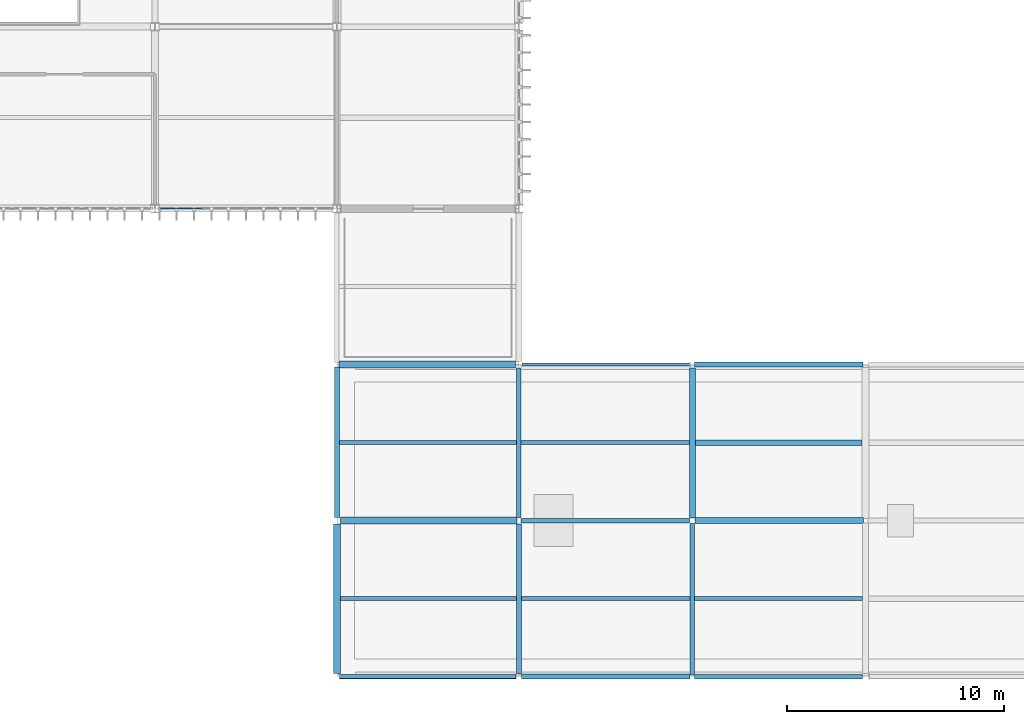
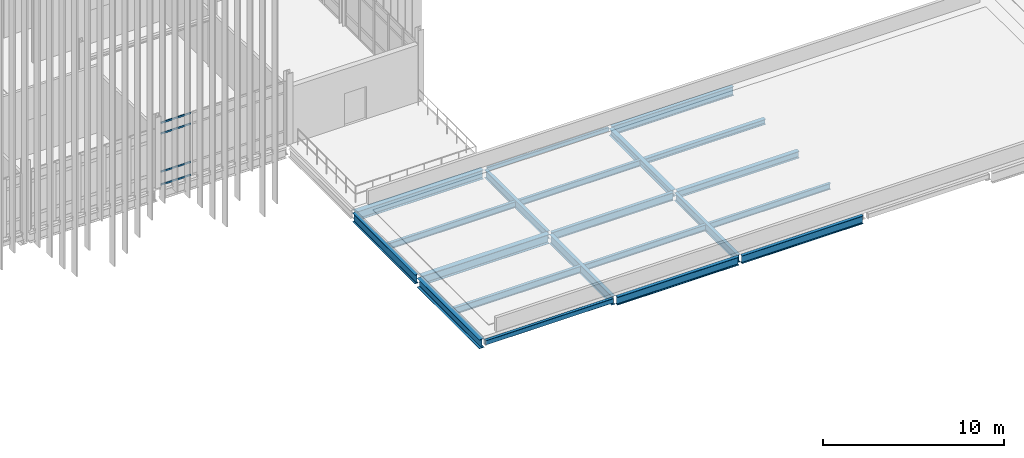
# One storey, part 34 of 153: 21 beams, 4 members, 1 element without a shape of its own.
"""IFC4 building model written with IfcOpenShell, lengths in metres."""

from ifc_helpers import new_model, si_unit, direction, frame, origin, origin_2d, place, context, subcontext, project, spatial, hollow_rectangle, i_section, extrude, material, layer, layer_set, material_profile, profile_set, type_object, element, aggregate, save


model = new_model("IFC4")

# Units and contexts
model_context = context("Model", 3, precision=1e-05, world=origin(), true_north=direction((0.0, 1.0)))
body_context = subcontext(model_context, "Body", "Model", "MODEL_VIEW")
ifc_project = project(units=[si_unit("LENGTHUNIT", "METRE"), si_unit("AREAUNIT", "SQUARE_METRE"), si_unit("VOLUMEUNIT", "CUBIC_METRE"), si_unit("PLANEANGLEUNIT", "RADIAN"), si_unit("MASSUNIT", "GRAM", prefix="KILO")], contexts=[model_context])

# Site, building, storey
site_placement = place(None, origin())
site = spatial("IfcSite", under=ifc_project, at=site_placement, CompositionType="ELEMENT")
building_placement = place(site_placement, origin())
building = spatial("IfcBuilding", under=site, at=building_placement, Name="Calvrana Isthmian Art Gallery", CompositionType="ELEMENT")
storey_placement = place(building_placement, frame((0.0, 0.0, 10.199951171875)))
storey = spatial("IfcBuildingStorey", under=building, at=storey_placement, Name="L02", CompositionType="ELEMENT", Elevation=10.199951171875)

# Beams
ifc_material_1 = material(Name="Steel ASTM A992 Gr 50", Category="steel")
ifc_material_profile_1 = material_profile(ifc_material_1, i_section(OverallWidth=0.279052734375, OverallDepth=0.4619140625, WebThickness=0.0107421875, FlangeThickness=0.017333984375, FilletRadius=0.02001953125, at=origin_2d()), Name="W18X76")
ifc_profile_set_1 = profile_set([ifc_material_profile_1], Name="Steel ASTM A992 Gr 50")
beam_type_1 = type_object("IfcBeamType", Name="BM-G-W18X76", PredefinedType="BEAM", material=ifc_profile_set_1)
beam_1_placement = place(storey_placement, frame((88.527099609375, 7.199951171875, -0.495849609375), z_axis=(1.0, 0.0, 0.0), x_axis=(0.0, 1.0, 0.0)))
element("IfcBeam", 1, at=beam_1_placement, inside=storey, type_object=beam_type_1, Name="Girder X L02 12-13/B", PredefinedType="BEAM", context=body_context, shape_type="SweptSolid", body=[
    extrude(i_section(OverallWidth=0.279052734375, OverallDepth=0.4619140625, WebThickness=0.0107421875, FlangeThickness=0.017333984375, FilletRadius=0.02001953125, at=origin_2d()), origin(), (0.0, 0.0, 1.0), 7.771240234375),
])
beam_2_placement = place(storey_placement, frame((88.39990234375, 7.326904296875, -0.495849609375), z_axis=(0.0, 1.0, 0.0), x_axis=(-1.0, 0.0, 0.0)))
element("IfcBeam", 2, at=beam_2_placement, inside=storey, type_object=beam_type_1, Name="Girder Y L02 12/B-C", PredefinedType="BEAM", context=body_context, shape_type="SweptSolid", body=[
    extrude(i_section(OverallWidth=0.279052734375, OverallDepth=0.4619140625, WebThickness=0.0107421875, FlangeThickness=0.017333984375, FilletRadius=0.02001953125, at=origin_2d()), origin(), (0.0, 0.0, 1.0), 6.920654296875),
])
ifc_material_profile_2 = material_profile(ifc_material_1, i_section(OverallWidth=0.208984375, OverallDepth=0.532958984375, WebThickness=0.01025390625, FlangeThickness=0.015625, FilletRadius=0.02099609375, at=origin_2d()), Name="W21X62")
ifc_profile_set_2 = profile_set([ifc_material_profile_2], Name="Steel ASTM A992 Gr 50")
beam_type_2 = type_object("IfcBeamType", Name="BM-G-W21X62", PredefinedType="BEAM", material=ifc_profile_set_2)
beam_3_placement = place(storey_placement, frame((88.501708984375, 0.0, -0.531494140625), z_axis=(1.0, 0.0, 0.0), x_axis=(0.0, 1.0, 0.0)))
element("IfcBeam", 3, at=beam_3_placement, inside=storey, type_object=beam_type_2, Name="Girder X L02 12-13/A", PredefinedType="BEAM", context=body_context, shape_type="SweptSolid", body=[
    extrude(i_section(OverallWidth=0.208984375, OverallDepth=0.532958984375, WebThickness=0.01025390625, FlangeThickness=0.015625, FilletRadius=0.02099609375, at=origin_2d()), origin(), (0.0, 0.0, 1.0), 7.745849609375),
])
beam_4_placement = place(storey_placement, frame((80.501708984375, 7.199951171875, -0.531494140625), z_axis=(1.0, 0.0, 0.0), x_axis=(0.0, 1.0, 0.0)))
element("IfcBeam", 4, at=beam_4_placement, inside=storey, type_object=beam_type_2, Name="Girder X L02 11-12/B", PredefinedType="BEAM", context=body_context, shape_type="SweptSolid", body=[
    extrude(i_section(OverallWidth=0.208984375, OverallDepth=0.532958984375, WebThickness=0.01025390625, FlangeThickness=0.015625, FilletRadius=0.02099609375, at=origin_2d()), origin(), (0.0, 0.0, 1.0), 7.771240234375),
])
beam_5_placement = place(storey_placement, frame((80.39990234375, 7.352294921875, -0.531494140625), z_axis=(0.0, 1.0, 0.0), x_axis=(-1.0, 0.0, 0.0)))
element("IfcBeam", 5, at=beam_5_placement, inside=storey, type_object=beam_type_2, Name="Girder Y L02 11/B-C", PredefinedType="BEAM", context=body_context, shape_type="SweptSolid", body=[
    extrude(i_section(OverallWidth=0.208984375, OverallDepth=0.532958984375, WebThickness=0.01025390625, FlangeThickness=0.015625, FilletRadius=0.02099609375, at=origin_2d()), origin(), (0.0, 0.0, 1.0), 6.895263671875),
])
beam_6_placement = place(storey_placement, frame((88.39990234375, 0.1015625, -0.531494140625), z_axis=(0.0, 1.0, 0.0), x_axis=(-1.0, 0.0, 0.0)))
element("IfcBeam", 6, at=beam_6_placement, inside=storey, type_object=beam_type_2, Name="Girder Y L02 12/A-B", PredefinedType="BEAM", context=body_context, shape_type="SweptSolid", body=[
    extrude(i_section(OverallWidth=0.208984375, OverallDepth=0.532958984375, WebThickness=0.01025390625, FlangeThickness=0.015625, FilletRadius=0.02099609375, at=origin_2d()), origin(), (0.0, 0.0, 1.0), 6.971435546875),
])
ifc_material_profile_3 = material_profile(ifc_material_1, i_section(OverallWidth=0.214111328125, OverallDepth=0.549072265625, WebThickness=0.0146484375, FlangeThickness=0.023681640625, FilletRadius=0.02099609375, at=origin_2d()), Name="W21X93")
ifc_profile_set_3 = profile_set([ifc_material_profile_3], Name="Steel ASTM A992 Gr 50")
beam_type_3 = type_object("IfcBeamType", Name="BM-G-W21X93", PredefinedType="BEAM", material=ifc_profile_set_3)
beam_7_placement = place(storey_placement, frame((80.527099609375, 0.0, -0.53955078125), z_axis=(1.0, 0.0, 0.0), x_axis=(0.0, 1.0, 0.0)))
element("IfcBeam", 7, at=beam_7_placement, inside=storey, type_object=beam_type_3, Name="Girder X L02 11-12/A", PredefinedType="BEAM", context=body_context, shape_type="SweptSolid", body=[
    extrude(i_section(OverallWidth=0.214111328125, OverallDepth=0.549072265625, WebThickness=0.0146484375, FlangeThickness=0.023681640625, FilletRadius=0.02099609375, at=origin_2d()), origin(), (0.0, 0.0, 1.0), 7.771240234375),
])
ifc_material_profile_4 = material_profile(ifc_material_1, i_section(OverallWidth=0.324951171875, OverallDepth=0.612060546875, WebThickness=0.0126953125, FlangeThickness=0.01904296875, FilletRadius=0.02197265625, at=origin_2d()), Name="W24X104")
ifc_profile_set_4 = profile_set([ifc_material_profile_4], Name="Steel ASTM A992 Gr 50")
beam_type_4 = type_object("IfcBeamType", Name="BM-G-W24X104", PredefinedType="BEAM", material=ifc_profile_set_4)
beam_8_placement = place(storey_placement, frame((72.1015625, 14.39990234375, -0.571044921875), z_axis=(1.0, 0.0, 0.0), x_axis=(0.0, 1.0, 0.0)))
element("IfcBeam", 8, at=beam_8_placement, inside=storey, type_object=beam_type_4, Name="Girder X L02 10-11/C", PredefinedType="BEAM", context=body_context, shape_type="SweptSolid", body=[
    extrude(i_section(OverallWidth=0.324951171875, OverallDepth=0.612060546875, WebThickness=0.0126953125, FlangeThickness=0.01904296875, FilletRadius=0.02197265625, at=origin_2d()), origin(), (0.0, 0.0, 1.0), 8.14599609375),
])
beam_9_placement = place(storey_placement, frame((72.0, 0.15234375, -0.571044921875), z_axis=(0.0, 1.0, 0.0), x_axis=(-1.0, 0.0, 0.0)))
element("IfcBeam", 9, at=beam_9_placement, inside=storey, type_object=beam_type_4, Name="Girder Y L02 10/A-B", PredefinedType="BEAM", context=body_context, shape_type="SweptSolid", body=[
    extrude(i_section(OverallWidth=0.324951171875, OverallDepth=0.612060546875, WebThickness=0.0126953125, FlangeThickness=0.01904296875, FilletRadius=0.02197265625, at=origin_2d()), origin(), (0.0, 0.0, 1.0), 6.895263671875),
])
ifc_material_profile_5 = material_profile(ifc_material_1, i_section(OverallWidth=0.327880859375, OverallDepth=0.6220703125, WebThickness=0.015380859375, FlangeThickness=0.0244140625, FilletRadius=0.02197265625, at=origin_2d()), Name="W24X131")
ifc_profile_set_5 = profile_set([ifc_material_profile_5], Name="Steel ASTM A992 Gr 50")
beam_type_5 = type_object("IfcBeamType", Name="BM-G-W24X131", PredefinedType="BEAM", material=ifc_profile_set_5)
beam_10_placement = place(storey_placement, frame((72.15234375, 7.199951171875, -0.575927734375), z_axis=(1.0, 0.0, 0.0), x_axis=(0.0, 1.0, 0.0)))
element("IfcBeam", 10, at=beam_10_placement, inside=storey, type_object=beam_type_5, Name="Girder X L02 10-11/B", PredefinedType="BEAM", context=body_context, shape_type="SweptSolid", body=[
    extrude(i_section(OverallWidth=0.327880859375, OverallDepth=0.6220703125, WebThickness=0.015380859375, FlangeThickness=0.0244140625, FilletRadius=0.02197265625, at=origin_2d()), origin(), (0.0, 0.0, 1.0), 8.14599609375),
])
ifc_material_profile_6 = material_profile(ifc_material_1, i_section(OverallWidth=0.22802734375, OverallDepth=0.60693359375, WebThickness=0.01123046875, FlangeThickness=0.017333984375, FilletRadius=0.02197265625, at=origin_2d()), Name="W24X76")
ifc_profile_set_6 = profile_set([ifc_material_profile_6], Name="Steel ASTM A992 Gr 50")
beam_type_6 = type_object("IfcBeamType", Name="BM-G-W24X76", PredefinedType="BEAM", material=ifc_profile_set_6)
beam_11_placement = place(storey_placement, frame((88.501708984375, 14.39990234375, -0.568359375), z_axis=(1.0, 0.0, 0.0), x_axis=(0.0, 1.0, 0.0)))
element("IfcBeam", 11, at=beam_11_placement, inside=storey, type_object=beam_type_6, Name="Girder X L02 12-13/C", PredefinedType="BEAM", context=body_context, shape_type="SweptSolid", body=[
    extrude(i_section(OverallWidth=0.22802734375, OverallDepth=0.60693359375, WebThickness=0.01123046875, FlangeThickness=0.017333984375, FilletRadius=0.02197265625, at=origin_2d()), origin(), (0.0, 0.0, 1.0), 7.771240234375),
])
beam_12_placement = place(storey_placement, frame((72.0, 7.352294921875, -0.568359375), z_axis=(0.0, 1.0, 0.0), x_axis=(-1.0, 0.0, 0.0)))
element("IfcBeam", 12, at=beam_12_placement, inside=storey, type_object=beam_type_6, Name="Girder Y L02 10/B-C", PredefinedType="BEAM", context=body_context, shape_type="SweptSolid", body=[
    extrude(i_section(OverallWidth=0.22802734375, OverallDepth=0.60693359375, WebThickness=0.01123046875, FlangeThickness=0.017333984375, FilletRadius=0.02197265625, at=origin_2d()), origin(), (0.0, 0.0, 1.0), 6.946044921875),
])
beam_13_placement = place(storey_placement, frame((80.39990234375, 0.126953125, -0.568359375), z_axis=(0.0, 1.0, 0.0), x_axis=(-1.0, 0.0, 0.0)))
element("IfcBeam", 13, at=beam_13_placement, inside=storey, type_object=beam_type_6, Name="Girder Y L02 11/A-B", PredefinedType="BEAM", context=body_context, shape_type="SweptSolid", body=[
    extrude(i_section(OverallWidth=0.22802734375, OverallDepth=0.60693359375, WebThickness=0.01123046875, FlangeThickness=0.017333984375, FilletRadius=0.02197265625, at=origin_2d()), origin(), (0.0, 0.0, 1.0), 6.920654296875),
])
ifc_material_profile_7 = material_profile(ifc_material_1, i_section(OverallWidth=0.25390625, OverallDepth=0.35302734375, WebThickness=0.009521484375, FlangeThickness=0.016357421875, FilletRadius=0.01806640625, at=origin_2d()), Name="W14X61")
ifc_profile_set_7 = profile_set([ifc_material_profile_7], Name="Steel ASTM A992 Gr 50")
beam_type_7 = type_object("IfcBeamType", Name="BM-J-W14X61", PredefinedType="JOIST", material=ifc_profile_set_7)
beam_14_placement = place(storey_placement, frame((88.53955078125, 10.800048828125, -0.44140625), z_axis=(1.0, 0.0, 0.0), x_axis=(0.0, 1.0, 0.0)))
element("IfcBeam", 14, at=beam_14_placement, inside=storey, type_object=beam_type_7, Name="Composite joist L02 bay 11-01", PredefinedType="JOIST", context=body_context, shape_type="SweptSolid", body=[
    extrude(i_section(OverallWidth=0.25390625, OverallDepth=0.35302734375, WebThickness=0.009521484375, FlangeThickness=0.016357421875, FilletRadius=0.01806640625, at=origin_2d()), origin(), (0.0, 0.0, 1.0), 7.697998046875),
])
ifc_material_profile_8 = material_profile(ifc_material_1, i_section(OverallWidth=0.177978515625, OverallDepth=0.404052734375, WebThickness=0.007568359375, FlangeThickness=0.010986328125, FilletRadius=0.01806640625, at=origin_2d()), Name="W16X36")
ifc_profile_set_8 = profile_set([ifc_material_profile_8], Name="Steel ASTM A992 Gr 50")
beam_type_8 = type_object("IfcBeamType", Name="BM-J-W16X36", PredefinedType="JOIST", material=ifc_profile_set_8)
for number, where, z_axis, x_axis, name in (
    (15, (80.50439453125, 10.800048828125, -0.467041015625), (1.0, 0.0, 0.0), (0.0, 1.0, 0.0), "Composite joist L02 bay 10-01"),
    (16, (88.50439453125, 3.60009765625, -0.467041015625), (1.0, 0.0, 0.0), (0.0, 1.0, 0.0), "Composite joist L02 bay 11-00"),
):
    element("IfcBeam", number, at=place(storey_placement, frame(where, z_axis=z_axis, x_axis=x_axis)), inside=storey, type_object=beam_type_8, Name=name, PredefinedType="JOIST", context=body_context, shape_type="SweptSolid", body=[
        extrude(i_section(OverallWidth=0.177978515625, OverallDepth=0.404052734375, WebThickness=0.007568359375, FlangeThickness=0.010986328125, FilletRadius=0.01806640625, at=origin_2d()), origin(), (0.0, 0.0, 1.0), 7.756103515625),
    ])
ifc_material_profile_9 = material_profile(ifc_material_1, i_section(OverallWidth=0.179931640625, OverallDepth=0.4140625, WebThickness=0.009765625, FlangeThickness=0.01611328125, FilletRadius=0.01806640625, at=origin_2d()), Name="W16X50")
ifc_profile_set_9 = profile_set([ifc_material_profile_9], Name="Steel ASTM A992 Gr 50")
beam_type_9 = type_object("IfcBeamType", Name="BM-J-W16X50", PredefinedType="JOIST", material=ifc_profile_set_9)
beam_15_placement = place(storey_placement, frame((72.114013671875, 10.800048828125, -0.471923828125), z_axis=(1.0, 0.0, 0.0), x_axis=(0.0, 1.0, 0.0)))
element("IfcBeam", 17, at=beam_15_placement, inside=storey, type_object=beam_type_9, Name="Composite joist L02 bay 09-01", PredefinedType="JOIST", context=body_context, shape_type="SweptSolid", body=[
    extrude(i_section(OverallWidth=0.179931640625, OverallDepth=0.4140625, WebThickness=0.009765625, FlangeThickness=0.01611328125, FilletRadius=0.01806640625, at=origin_2d()), origin(), (0.0, 0.0, 1.0), 8.181396484375),
])
beam_16_placement = place(storey_placement, frame((80.513916015625, 3.60009765625, -0.471923828125), z_axis=(1.0, 0.0, 0.0), x_axis=(0.0, 1.0, 0.0)))
element("IfcBeam", 18, at=beam_16_placement, inside=storey, type_object=beam_type_9, Name="Composite joist L02 bay 10-00", PredefinedType="JOIST", context=body_context, shape_type="SweptSolid", body=[
    extrude(i_section(OverallWidth=0.179931640625, OverallDepth=0.4140625, WebThickness=0.009765625, FlangeThickness=0.01611328125, FilletRadius=0.01806640625, at=origin_2d()), origin(), (0.0, 0.0, 1.0), 7.781494140625),
])
ifc_material_profile_10 = material_profile(ifc_material_1, i_section(OverallWidth=0.19091796875, OverallDepth=0.45703125, WebThickness=0.009033203125, FlangeThickness=0.014404296875, FilletRadius=0.02001953125, at=origin_2d()), Name="W18X50")
ifc_profile_set_10 = profile_set([ifc_material_profile_10], Name="Steel ASTM A992 Gr 50")
beam_type_10 = type_object("IfcBeamType", Name="BM-J-W18X50", PredefinedType="JOIST", material=ifc_profile_set_10)
beam_17_placement = place(storey_placement, frame((72.16259765625, 3.60009765625, -0.493408203125), z_axis=(1.0, 0.0, 0.0), x_axis=(0.0, 1.0, 0.0)))
element("IfcBeam", 19, at=beam_17_placement, inside=storey, type_object=beam_type_10, Name="Composite joist L02 bay 09-00", PredefinedType="JOIST", context=body_context, shape_type="SweptSolid", body=[
    extrude(i_section(OverallWidth=0.19091796875, OverallDepth=0.45703125, WebThickness=0.009033203125, FlangeThickness=0.014404296875, FilletRadius=0.02001953125, at=origin_2d()), origin(), (0.0, 0.0, 1.0), 8.123291015625),
])
ifc_material_2 = material(Name="Steel ASTM A500 Gr C", Category="steel")
ifc_material_profile_11 = material_profile(ifc_material_2, hollow_rectangle(XDim=0.15234375, YDim=0.25390625, WallThickness=0.009521484375, OuterFilletRadius=0.01904296875, at=origin_2d()), Name="HSS254X152X9.5")
ifc_profile_set_11 = profile_set([ifc_material_profile_11], Name="Steel ASTM A500 Gr C")
beam_type_11 = type_object("IfcBeamType", Name="BM-SP-HSS254", PredefinedType="SPANDREL", material=ifc_profile_set_11)
beam_18_placement = place(storey_placement, frame((80.552490234375, 14.39990234375, -0.391845703125), z_axis=(1.0, 0.0, 0.0), x_axis=(0.0, 1.0, 0.0)))
element("IfcBeam", 20, at=beam_18_placement, inside=storey, type_object=beam_type_11, Name="Girder X L02 11-12/C", PredefinedType="SPANDREL", context=body_context, shape_type="SweptSolid", body=[
    extrude(hollow_rectangle(XDim=0.15234375, YDim=0.25390625, WallThickness=0.009521484375, OuterFilletRadius=0.01904296875, at=origin_2d()), origin(), (0.0, 0.0, 1.0), 7.745849609375),
])
ifc_material_profile_12 = material_profile(ifc_material_2, hollow_rectangle(XDim=0.203125, YDim=0.3046875, WallThickness=0.0126953125, OuterFilletRadius=0.02490234375, at=origin_2d()), Name="HSS305X203X12.7")
ifc_profile_set_12 = profile_set([ifc_material_profile_12], Name="Steel ASTM A500 Gr C")
beam_type_12 = type_object("IfcBeamType", Name="BM-SP-HSS305", PredefinedType="SPANDREL", material=ifc_profile_set_12)
beam_19_placement = place(storey_placement, frame((72.1015625, 0.0, -0.417236328125), z_axis=(1.0, 0.0, 0.0), x_axis=(0.0, 1.0, 0.0)))
element("IfcBeam", 21, at=beam_19_placement, inside=storey, type_object=beam_type_12, Name="Girder X L02 10-11/A", PredefinedType="SPANDREL", context=body_context, shape_type="SweptSolid", body=[
    extrude(hollow_rectangle(XDim=0.203125, YDim=0.3046875, WallThickness=0.0126953125, OuterFilletRadius=0.02490234375, at=origin_2d()), origin(), (0.0, 0.0, 1.0), 8.17138671875),
])

# Curtain wall, members
ifc_material_3 = material(Name="Anodized bronze aluminium 6063-T6", Category="aluminium")
ifc_layer = layer(ifc_material_3, 0.179931640625, Name="Anodized bronze aluminium 6063-T6")
ifc_layer_set = layer_set([ifc_layer], Name="Anodized bronze aluminium 6063-T6")
curtain_wall_type = type_object("IfcCurtainWallType", Name="CW-UNIT-080X42", PredefinedType="USERDEFINED", material=ifc_layer_set)
curtain_wall_placement = place(storey_placement, origin())
curtain_wall = element("IfcCurtainWall", 22, at=curtain_wall_placement, inside=storey, type_object=curtain_wall_type, Name="Curtain wall CW-150", ObjectType="UNITISED CURTAIN WALL", PredefinedType="USERDEFINED")
ifc_material_profile_13 = material_profile(ifc_material_3, hollow_rectangle(XDim=0.06005859375, YDim=0.110107421875, WallThickness=0.00341796875, at=origin_2d()), Name="CWT60X110")
ifc_profile_set_13 = profile_set([ifc_material_profile_13], Name="Anodized bronze aluminium 6063-T6")
member_type = type_object("IfcMemberType", Name="CWT-CWT60X110", PredefinedType="USERDEFINED", material=ifc_profile_set_13)
member_1_placement = place(storey_placement, frame((65.769287109375, 21.60009765625, 0.030029296875), z_axis=(-1.0, 0.0, 0.0), x_axis=(0.0, -1.0, 0.0)))
member_1 = element("IfcMember", 23, at=member_1_placement, type_object=member_type, Name="CW-150 transom 4.1", ObjectType="TRANSOM", PredefinedType="USERDEFINED", context=body_context, shape_type="SweptSolid", body=[
    extrude(hollow_rectangle(XDim=0.06005859375, YDim=0.110107421875, WallThickness=0.00341796875, at=origin_2d()), origin(), (0.0, 0.0, 1.0), 1.911376953125),
])
member_2_placement = place(storey_placement, frame((65.769287109375, 21.60009765625, 0.900146484375), z_axis=(-1.0, 0.0, 0.0), x_axis=(0.0, -1.0, 0.0)))
member_2 = element("IfcMember", 24, at=member_2_placement, type_object=member_type, Name="CW-150 transom 4.2", ObjectType="TRANSOM", PredefinedType="USERDEFINED", context=body_context, shape_type="SweptSolid", body=[
    extrude(hollow_rectangle(XDim=0.06005859375, YDim=0.110107421875, WallThickness=0.00341796875, at=origin_2d()), origin(), (0.0, 0.0, 1.0), 1.911376953125),
])
member_3_placement = place(storey_placement, frame((65.769287109375, 21.60009765625, 3.4853515625), z_axis=(-1.0, 0.0, 0.0), x_axis=(0.0, -1.0, 0.0)))
member_3 = element("IfcMember", 25, at=member_3_placement, type_object=member_type, Name="CW-150 transom 4.3", ObjectType="TRANSOM", PredefinedType="USERDEFINED", context=body_context, shape_type="SweptSolid", body=[
    extrude(hollow_rectangle(XDim=0.06005859375, YDim=0.110107421875, WallThickness=0.00341796875, at=origin_2d()), origin(), (0.0, 0.0, 1.0), 1.911376953125),
])
member_4_placement = place(storey_placement, frame((65.769287109375, 21.60009765625, 4.205322265625), z_axis=(-1.0, 0.0, 0.0), x_axis=(0.0, -1.0, 0.0)))
member_4 = element("IfcMember", 26, at=member_4_placement, type_object=member_type, Name="CW-150 transom 4.4", ObjectType="TRANSOM", PredefinedType="USERDEFINED", context=body_context, shape_type="SweptSolid", body=[
    extrude(hollow_rectangle(XDim=0.06005859375, YDim=0.110107421875, WallThickness=0.00341796875, at=origin_2d()), origin(), (0.0, 0.0, 1.0), 1.911376953125),
])
aggregate(curtain_wall, [member_1, member_2, member_3, member_4])

save(model, "model.ifc")
